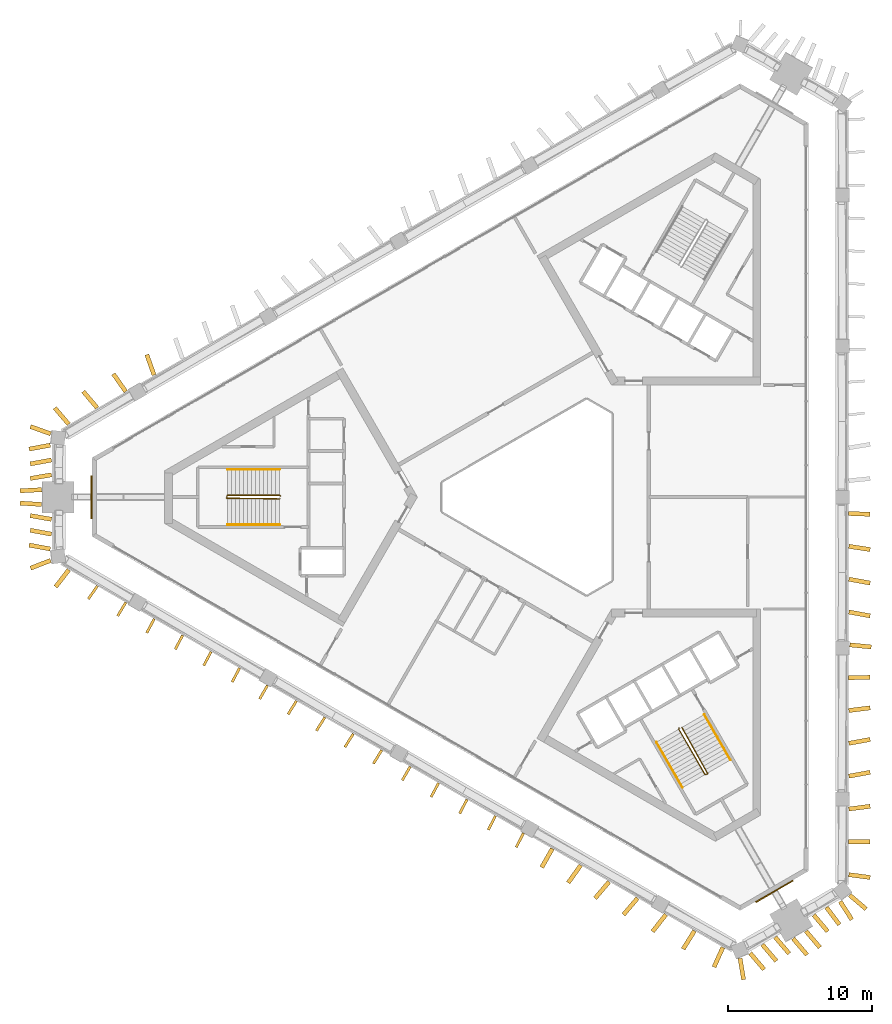
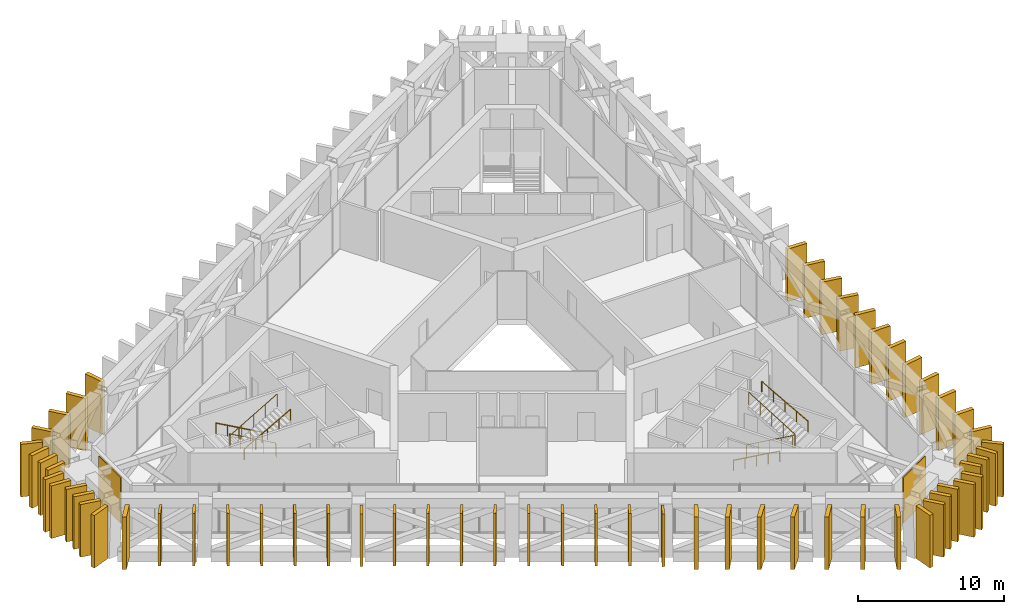
# One storey, part 14 of 15: 60 shading devices, 6 railings, 2 coverings.
"""IFC4 building model written with IfcOpenShell, lengths in metres."""

from ifc_helpers import new_model, si_unit, direction, frame, frame_2d, origin, origin_2d, place, context, subcontext, project, spatial, rectangle, circle, extrude, material, layer, layer_set, type_object, element, save


model = new_model("IFC4")

# Units and contexts
model_context = context("Model", 3, precision=1e-05, world=origin(), true_north=direction((0.0, 1.0)))
body_context = subcontext(model_context, "Body", "Model", "MODEL_VIEW")
ifc_project = project(units=[si_unit("LENGTHUNIT", "METRE"), si_unit("AREAUNIT", "SQUARE_METRE"), si_unit("VOLUMEUNIT", "CUBIC_METRE"), si_unit("PLANEANGLEUNIT", "RADIAN"), si_unit("MASSUNIT", "GRAM", prefix="KILO")], contexts=[model_context])

# Site, building, storey
site_placement = place(None, origin())
site = spatial("IfcSite", under=ifc_project, at=site_placement, CompositionType="ELEMENT")
building_placement = place(site_placement, origin())
building = spatial("IfcBuilding", under=site, at=building_placement, Name="Jabali Bay Hotel Tower and Convention Centre", CompositionType="ELEMENT")
storey_placement = place(building_placement, frame((0.0, 0.0, 201.39990234375)))
storey = spatial("IfcBuildingStorey", under=building, at=storey_placement, Name="L49", CompositionType="ELEMENT", Elevation=201.39990234375)

# Shading devices
ifc_material_1 = material(Name="Precast concrete C60", Category="concrete")
ifc_layer_1 = layer(ifc_material_1, 0.179931640625)
ifc_layer_set_1 = layer_set([ifc_layer_1], Name="Precast concrete C60")
shading_device_type_1 = type_object("IfcShadingDeviceType", Name="Precast fin 4380 x 1100", PredefinedType="USERDEFINED", material=ifc_layer_set_1)
shading_device_1_placement = place(storey_placement, frame((43.73046875, 73.80810546875, 0.010009765625), z_axis=(0.0, 0.0, 1.0), x_axis=(-0.570479004337, -0.821312185232, 0.0)))
element("IfcShadingDevice", 1, at=shading_device_1_placement, inside=storey, type_object=shading_device_type_1, Name="Fin L49 065", ObjectType="FIN", PredefinedType="USERDEFINED", context=body_context, shape_type="SweptSolid", body=[
    extrude(rectangle(XDim=1.099853515625, YDim=0.179931640625, at=frame_2d((0.5498046875, 0.0))), origin(), (0.0, 0.0, 1.0), 4.380126953125),
])
for number, where, z_axis, x_axis, name in (
    (2, (45.711669921875, 72.6708984375, 0.010009765625), (0.0, 0.0, 1.0), (-0.517071608225, -0.855942142886, 0.0), "Fin L49 066"),
    (3, (47.689208984375, 71.52783203125, 0.010009765625), (0.0, 0.0, 1.0), (-0.470668857684, -0.882309937837, 0.0), "Fin L49 067"),
):
    element("IfcShadingDevice", number, at=place(storey_placement, frame(where, z_axis=z_axis, x_axis=x_axis)), inside=storey, type_object=shading_device_type_1, Name=name, ObjectType="FIN", PredefinedType="USERDEFINED", context=body_context, shape_type="SweptSolid", body=[
        extrude(rectangle(XDim=1.10009765625, YDim=0.179931640625, at=frame_2d((0.550048828125, 0.0))), origin(), (0.0, 0.0, 1.0), 4.380126953125),
    ])
for number, where, z_axis, x_axis, name in (
    (4, (49.6669921875, 70.38525390625, 0.010009765625), (0.0, 0.0, 1.0), (-0.466377581753, -0.884585751207, 0.0), "Fin L49 068"),
    (5, (51.645263671875, 69.2431640625, 0.010009765625), (0.0, 0.0, 1.0), (-0.467428758702, -0.884030743548, 0.0), "Fin L49 069"),
):
    element("IfcShadingDevice", number, at=place(storey_placement, frame(where, z_axis=z_axis, x_axis=x_axis)), inside=storey, type_object=shading_device_type_1, Name=name, ObjectType="FIN", PredefinedType="USERDEFINED", context=body_context, shape_type="SweptSolid", body=[
        extrude(rectangle(XDim=1.099853515625, YDim=0.179931640625, at=frame_2d((0.5498046875, 0.0))), origin(), (0.0, 0.0, 1.0), 4.380126953125),
    ])
shading_device_2_placement = place(storey_placement, frame((53.62353515625, 68.101318359375, 0.010009765625), z_axis=(0.0, 0.0, 1.0), x_axis=(-0.468305766076, -0.883566471444, 0.0)))
element("IfcShadingDevice", 6, at=shading_device_2_placement, inside=storey, type_object=shading_device_type_1, Name="Fin L49 070", ObjectType="FIN", PredefinedType="USERDEFINED", context=body_context, shape_type="SweptSolid", body=[
    extrude(rectangle(XDim=1.10009765625, YDim=0.179931640625, at=frame_2d((0.550048828125, 0.0))), origin(), (0.0, 0.0, 1.0), 4.380126953125),
])
shading_device_3_placement = place(storey_placement, frame((55.56591796875, 66.89697265625, 0.010009765625), z_axis=(0.0, 0.0, 1.0), x_axis=(-0.499171535412, -0.866503189973, 0.0)))
element("IfcShadingDevice", 7, at=shading_device_3_placement, inside=storey, type_object=shading_device_type_1, Name="Fin L49 071", ObjectType="FIN", PredefinedType="USERDEFINED", context=body_context, shape_type="SweptSolid", body=[
    extrude(rectangle(XDim=1.099853515625, YDim=0.179931640625, at=frame_2d((0.5498046875, 0.0))), origin(), (0.0, 0.0, 1.0), 4.380126953125),
])
for number, where, z_axis, x_axis, name in (
    (8, (57.580078125, 65.8173828125, 0.010009765625), (0.0, 0.0, 1.0), (-0.526683131458, -0.850061691313, 0.0), "Fin L49 072"),
    (9, (59.55810546875, 64.6748046875, 0.010009765625), (0.0, 0.0, 1.0), (-0.531334935618, -0.847161841794, 0.0), "Fin L49 073"),
    (10, (61.536376953125, 63.53271484375, 0.010009765625), (0.0, 0.0, 1.0), (-0.53149419322, -0.8470619355, 0.0), "Fin L49 074"),
    (11, (63.514892578125, 62.3916015625, 0.010009765625), (0.0, 0.0, 1.0), (-0.522015481501, -0.852936009952, 0.0), "Fin L49 075"),
):
    element("IfcShadingDevice", number, at=place(storey_placement, frame(where, z_axis=z_axis, x_axis=x_axis)), inside=storey, type_object=shading_device_type_1, Name=name, ObjectType="FIN", PredefinedType="USERDEFINED", context=body_context, shape_type="SweptSolid", body=[
        extrude(rectangle(XDim=1.10009765625, YDim=0.179931640625, at=frame_2d((0.550048828125, 0.0))), origin(), (0.0, 0.0, 1.0), 4.380126953125),
    ])
shading_device_4_placement = place(storey_placement, frame((65.494140625, 61.251220703125, 0.010009765625), z_axis=(0.0, 0.0, 1.0), x_axis=(-0.498312643583, -0.866997410172, 0.0)))
element("IfcShadingDevice", 12, at=shading_device_4_placement, inside=storey, type_object=shading_device_type_1, Name="Fin L49 076", ObjectType="FIN", PredefinedType="USERDEFINED", context=body_context, shape_type="SweptSolid", body=[
    extrude(rectangle(XDim=1.099853515625, YDim=0.179931640625, at=frame_2d((0.5498046875, 0.0))), origin(), (0.0, 0.0, 1.0), 4.380126953125),
])
shading_device_5_placement = place(storey_placement, frame((67.47119140625, 60.107177734375, 0.010009765625), z_axis=(0.0, 0.0, 1.0), x_axis=(-0.47583265846, -0.879535832779, 0.0)))
element("IfcShadingDevice", 13, at=shading_device_5_placement, inside=storey, type_object=shading_device_type_1, Name="Fin L49 077", ObjectType="FIN", PredefinedType="USERDEFINED", context=body_context, shape_type="SweptSolid", body=[
    extrude(rectangle(XDim=1.10009765625, YDim=0.179931640625, at=frame_2d((0.550048828125, 0.0))), origin(), (0.0, 0.0, 1.0), 4.380126953125),
])
for number, where, z_axis, x_axis, name in (
    (14, (69.44873046875, 58.9638671875, 0.010009765625), (0.0, 0.0, 1.0), (-0.463036274303, -0.886339330437, 0.0), "Fin L49 078"),
    (15, (71.426513671875, 57.82080078125, 0.010009765625), (0.0, 0.0, 1.0), (-0.452798240741, -0.8916130064, 0.0), "Fin L49 079"),
):
    element("IfcShadingDevice", number, at=place(storey_placement, frame(where, z_axis=z_axis, x_axis=x_axis)), inside=storey, type_object=shading_device_type_1, Name=name, ObjectType="FIN", PredefinedType="USERDEFINED", context=body_context, shape_type="SweptSolid", body=[
        extrude(rectangle(XDim=1.099853515625, YDim=0.179931640625, at=frame_2d((0.5498046875, 0.0))), origin(), (0.0, 0.0, 1.0), 4.380126953125),
    ])
shading_device_6_placement = place(storey_placement, frame((73.366943359375, 56.61376953125, 0.010009765625), z_axis=(0.0, 0.0, 1.0), x_axis=(-0.449874907868, -0.893091578323, 0.0)))
element("IfcShadingDevice", 16, at=shading_device_6_placement, inside=storey, type_object=shading_device_type_1, Name="Fin L49 080", ObjectType="FIN", PredefinedType="USERDEFINED", context=body_context, shape_type="SweptSolid", body=[
    extrude(rectangle(XDim=1.10009765625, YDim=0.179931640625, at=frame_2d((0.550048828125, 0.0))), origin(), (0.0, 0.0, 1.0), 4.380126953125),
])
ifc_layer_2 = layer(ifc_material_1, 0.300048828125)
ifc_layer_set_2 = layer_set([ifc_layer_2], Name="Precast concrete C60")
shading_device_type_2 = type_object("IfcShadingDeviceType", Name="Precast fin 4380 x 1500", PredefinedType="USERDEFINED", material=ifc_layer_set_2)
for number, where, z_axis, x_axis, name in (
    (17, (96.009033203125, 53.731689453125, 0.010009765625), (0.0, 0.0, 1.0), (0.991487500745, -0.130201904234, 0.0), "Fin L49 000"),
    (18, (95.990234375, 56.015869140625, 0.010009765625), (0.0, 0.0, 1.0), (0.99998886074, 0.004719999505, 0.0), "Fin L49 001"),
    (19, (96.008544921875, 58.300048828125, 0.010009765625), (0.0, 0.0, 1.0), (0.99195151936, 0.126618257926, 0.0), "Fin L49 002"),
    (20, (96.0166015625, 60.584228515625, 0.010009765625), (0.0, 0.0, 1.0), (0.98351646372, 0.180818598576, 0.0), "Fin L49 003"),
    (21, (96.0166015625, 62.868408203125, 0.010009765625), (0.0, 0.0, 1.0), (0.98351646372, 0.180818598576, 0.0), "Fin L49 004"),
    (22, (96.008056640625, 65.152587890625, 0.010009765625), (0.0, 0.0, 1.0), (0.992419958054, 0.122892745339, 0.0), "Fin L49 005"),
    (23, (95.99169921875, 67.436767578125, 0.010009765625), (0.0, 0.0, 1.0), (0.999899727428, 0.014161041232, 0.0), "Fin L49 006"),
    (24, (96.079345703125, 69.720947265625, 0.010009765625), (0.0, 0.0, 1.0), (0.995059724183, -0.099278120993, 0.0), "Fin L49 007"),
    (25, (96.0166015625, 72.00537109375, 0.010009765625), (0.0, 0.0, 1.0), (0.983666162823, -0.180002444752, 0.0), "Fin L49 008"),
    (26, (96.0166015625, 74.28955078125, 0.010009765625), (0.0, 0.0, 1.0), (0.98351646372, -0.180818598576, 0.0), "Fin L49 009"),
):
    element("IfcShadingDevice", number, at=place(storey_placement, frame(where, z_axis=z_axis, x_axis=x_axis)), inside=storey, type_object=shading_device_type_2, Name=name, ObjectType="FIN", PredefinedType="USERDEFINED", context=body_context, shape_type="SweptSolid", body=[
        extrude(rectangle(XDim=1.5, YDim=0.300048828125, at=frame_2d((0.75, 0.0))), origin(), (0.0, 0.0, 1.0), 4.380126953125),
    ])
shading_device_7_placement = place(storey_placement, frame((96.011962890625, 76.57373046875, 0.010009765625), z_axis=(0.0, 0.0, 1.0), x_axis=(0.988894523885, -0.148619045318, 0.0)))
element("IfcShadingDevice", 27, at=shading_device_7_placement, inside=storey, type_object=shading_device_type_2, Name="Fin L49 010", ObjectType="FIN", PredefinedType="USERDEFINED", context=body_context, shape_type="SweptSolid", body=[
    extrude(rectangle(XDim=1.499755859375, YDim=0.300048828125, at=frame_2d((0.75, 0.0))), origin(), (0.0, 0.0, 1.0), 4.380126953125),
])
shading_device_8_placement = place(storey_placement, frame((95.9951171875, 78.85791015625, 0.010009765625), z_axis=(0.0, 0.0, 1.0), x_axis=(0.999323279828, -0.036782908997, 0.0)))
element("IfcShadingDevice", 28, at=shading_device_8_placement, inside=storey, type_object=shading_device_type_2, Name="Fin L49 011", ObjectType="FIN", PredefinedType="USERDEFINED", context=body_context, shape_type="SweptSolid", body=[
    extrude(rectangle(XDim=1.5, YDim=0.300048828125, at=frame_2d((0.75, 0.0))), origin(), (0.0, 0.0, 1.0), 4.380126953125),
])
shading_device_9_placement = place(storey_placement, frame((47.677001953125, 88.4931640625, 0.010009765625), z_axis=(0.0, 0.0, 1.0), x_axis=(-0.335160595484, 0.942161013434, 0.0)))
element("IfcShadingDevice", 29, at=shading_device_9_placement, inside=storey, type_object=shading_device_type_2, Name="Fin L49 052", ObjectType="FIN", PredefinedType="USERDEFINED", context=body_context, shape_type="SweptSolid", body=[
    extrude(rectangle(XDim=1.499755859375, YDim=0.300048828125, at=frame_2d((0.75, 0.0))), origin(), (0.0, 0.0, 1.0), 4.380126953125),
])
for number, where, z_axis, x_axis, name in (
    (30, (45.7060546875, 87.338623046875, 0.010009765625), (0.0, 0.0, 1.0), (-0.572117944952, 0.820171358354, 0.0), "Fin L49 053"),
    (31, (43.720703125, 86.208984375, 0.010009765625), (0.0, 0.0, 1.0), (-0.648281291341, 0.761400924151, 0.0), "Fin L49 054"),
):
    element("IfcShadingDevice", number, at=place(storey_placement, frame(where, z_axis=z_axis, x_axis=x_axis)), inside=storey, type_object=shading_device_type_2, Name=name, ObjectType="FIN", PredefinedType="USERDEFINED", context=body_context, shape_type="SweptSolid", body=[
        extrude(rectangle(XDim=1.5, YDim=0.300048828125, at=frame_2d((0.75, 0.0))), origin(), (0.0, 0.0, 1.0), 4.380126953125),
    ])
shading_device_10_placement = place(storey_placement, frame((41.742431640625, 85.06689453125, 0.010009765625), z_axis=(0.0, 0.0, 1.0), x_axis=(-0.648186918132, 0.761481266455, 0.0)))
element("IfcShadingDevice", 32, at=shading_device_10_placement, inside=storey, type_object=shading_device_type_2, Name="Fin L49 055", ObjectType="FIN", PredefinedType="USERDEFINED", context=body_context, shape_type="SweptSolid", body=[
    extrude(rectangle(XDim=1.499755859375, YDim=0.300048828125, at=frame_2d((0.75, 0.0))), origin(), (0.0, 0.0, 1.0), 4.380126953125),
])
shading_device_11_placement = place(storey_placement, frame((40.457275390625, 83.610107421875, 0.010009765625), z_axis=(0.0, 0.0, 1.0), x_axis=(-0.98351646372, -0.180818598576, 0.0)))
element("IfcShadingDevice", 33, at=shading_device_11_placement, inside=storey, type_object=shading_device_type_2, Name="Fin L49 056", ObjectType="FIN", PredefinedType="USERDEFINED", context=body_context, shape_type="SweptSolid", body=[
    extrude(rectangle(XDim=1.5, YDim=0.300048828125, at=frame_2d((0.75, 0.0))), origin(), (0.0, 0.0, 1.0), 4.380126953125),
])
for number, where, z_axis, x_axis, name in (
    (34, (40.539794921875, 82.57861328125, 0.010009765625), (0.0, 0.0, 1.0), (-0.983540082214, -0.180690084617, 0.0), "Fin L49 057"),
    (35, (40.541748046875, 81.547119140625, 0.010009765625), (0.0, 0.0, 1.0), (-0.985762100403, -0.168146012172, 0.0), "Fin L49 058"),
):
    element("IfcShadingDevice", number, at=place(storey_placement, frame(where, z_axis=z_axis, x_axis=x_axis)), inside=storey, type_object=shading_device_type_2, Name=name, ObjectType="FIN", PredefinedType="USERDEFINED", context=body_context, shape_type="SweptSolid", body=[
        extrude(rectangle(XDim=1.499755859375, YDim=0.300048828125, at=frame_2d((0.75, 0.0))), origin(), (0.0, 0.0, 1.0), 4.380126953125),
    ])
shading_device_12_placement = place(storey_placement, frame((39.859619140625, 80.515625, 0.010009765625), z_axis=(0.0, 0.0, 1.0), x_axis=(-0.99857387122, -0.053387486513, 0.0)))
element("IfcShadingDevice", 36, at=shading_device_12_placement, inside=storey, type_object=shading_device_type_2, Name="Fin L49 059", ObjectType="FIN", PredefinedType="USERDEFINED", context=body_context, shape_type="SweptSolid", body=[
    extrude(rectangle(XDim=1.5, YDim=0.300048828125, at=frame_2d((0.75, 0.0))), origin(), (0.0, 0.0, 1.0), 4.380126953125),
])
for number, where, z_axis, x_axis, name in (
    (37, (39.858154296875, 79.484375, 0.010009765625), (0.0, 0.0, 1.0), (-0.997942139327, 0.064120874575, 0.0), "Fin L49 060"),
    (38, (40.541259765625, 78.452880859375, 0.010009765625), (0.0, 0.0, 1.0), (-0.985093269041, 0.17202107804, 0.0), "Fin L49 061"),
):
    element("IfcShadingDevice", number, at=place(storey_placement, frame(where, z_axis=z_axis, x_axis=x_axis)), inside=storey, type_object=shading_device_type_2, Name=name, ObjectType="FIN", PredefinedType="USERDEFINED", context=body_context, shape_type="SweptSolid", body=[
        extrude(rectangle(XDim=1.500244140625, YDim=0.300048828125, at=frame_2d((0.75, 0.0))), origin(), (0.0, 0.0, 1.0), 4.380126953125),
    ])
shading_device_13_placement = place(storey_placement, frame((40.539794921875, 77.42138671875, 0.010009765625), z_axis=(0.0, 0.0, 1.0), x_axis=(-0.983540082214, 0.180690084617, 0.0)))
element("IfcShadingDevice", 39, at=shading_device_13_placement, inside=storey, type_object=shading_device_type_2, Name="Fin L49 062", ObjectType="FIN", PredefinedType="USERDEFINED", context=body_context, shape_type="SweptSolid", body=[
    extrude(rectangle(XDim=1.499755859375, YDim=0.300048828125, at=frame_2d((0.75, 0.0))), origin(), (0.0, 0.0, 1.0), 4.380126953125),
])
for number, where, z_axis, x_axis, name in (
    (40, (40.457275390625, 76.389892578125, 0.010009765625), (0.0, 0.0, 1.0), (-0.98351646372, 0.180818598576, 0.0), "Fin L49 063"),
    (41, (41.74609375, 74.939453125, 0.010009765625), (0.0, 0.0, 1.0), (-0.610520622439, -0.792000359581, 0.0), "Fin L49 064"),
):
    element("IfcShadingDevice", number, at=place(storey_placement, frame(where, z_axis=z_axis, x_axis=x_axis)), inside=storey, type_object=shading_device_type_2, Name=name, ObjectType="FIN", PredefinedType="USERDEFINED", context=body_context, shape_type="SweptSolid", body=[
        extrude(rectangle(XDim=1.5, YDim=0.300048828125, at=frame_2d((0.75, 0.0))), origin(), (0.0, 0.0, 1.0), 4.380126953125),
    ])
shading_device_14_placement = place(storey_placement, frame((75.384521484375, 55.539794921875, 0.010009765625), z_axis=(0.0, 0.0, 1.0), x_axis=(-0.493226130049, -0.869901134978, 0.0)))
element("IfcShadingDevice", 42, at=shading_device_14_placement, inside=storey, type_object=shading_device_type_2, Name="Fin L49 081", ObjectType="FIN", PredefinedType="USERDEFINED", context=body_context, shape_type="SweptSolid", body=[
    extrude(rectangle(XDim=1.499755859375, YDim=0.300048828125, at=frame_2d((0.75, 0.0))), origin(), (0.0, 0.0, 1.0), 4.380126953125),
])
for number, where, z_axis, x_axis, name in (
    (43, (77.356201171875, 54.386474609375, 0.010009765625), (0.0, 0.0, 1.0), (-0.579759177588, -0.814787884055, 0.0), "Fin L49 082"),
    (44, (79.328369140625, 53.233642578125, 0.010009765625), (0.0, 0.0, 1.0), (-0.645818201184, -0.763491225241, 0.0), "Fin L49 083"),
    (45, (81.30615234375, 52.09130859375, 0.010009765625), (0.0, 0.0, 1.0), (-0.647662594456, -0.761927269326, 0.0), "Fin L49 084"),
):
    element("IfcShadingDevice", number, at=place(storey_placement, frame(where, z_axis=z_axis, x_axis=x_axis)), inside=storey, type_object=shading_device_type_2, Name=name, ObjectType="FIN", PredefinedType="USERDEFINED", context=body_context, shape_type="SweptSolid", body=[
        extrude(rectangle(XDim=1.5, YDim=0.300048828125, at=frame_2d((0.75, 0.0))), origin(), (0.0, 0.0, 1.0), 4.380126953125),
    ])
for number, where, z_axis, x_axis, name in (
    (46, (83.287109375, 50.95361328125, 0.010009765625), (0.0, 0.0, 1.0), (-0.621036368614, -0.78378174823, 0.0), "Fin L49 085"),
    (47, (85.273681640625, 49.826171875, 0.010009765625), (0.0, 0.0, 1.0), (-0.528095909786, -0.849184732592, 0.0), "Fin L49 086"),
):
    element("IfcShadingDevice", number, at=place(storey_placement, frame(where, z_axis=z_axis, x_axis=x_axis)), inside=storey, type_object=shading_device_type_2, Name=name, ObjectType="FIN", PredefinedType="USERDEFINED", context=body_context, shape_type="SweptSolid", body=[
        extrude(rectangle(XDim=1.500244140625, YDim=0.300048828125, at=frame_2d((0.75, 0.0))), origin(), (0.0, 0.0, 1.0), 4.380126953125),
    ])
for number, where, z_axis, x_axis, name in (
    (48, (87.24658203125, 48.6748046875, 0.010009765625), (0.0, 0.0, 1.0), (-0.407391513737, -0.9132536091, 0.0), "Fin L49 087"),
    (49, (89.14501953125, 48.280029296875, 0.010009765625), (0.0, 0.0, 1.0), (0.648281291341, -0.761400924151, 0.0), "Fin L49 088"),
    (50, (89.996826171875, 48.867431640625, 0.010009765625), (0.0, 0.0, 1.0), (0.648281291341, -0.761400924151, 0.0), "Fin L49 089"),
    (51, (90.89013671875, 49.383056640625, 0.010009765625), (0.0, 0.0, 1.0), (0.648281291341, -0.761400924151, 0.0), "Fin L49 090"),
    (52, (92.133056640625, 49.293212890625, 0.010009765625), (0.0, 0.0, 1.0), (0.648281291341, -0.761400924151, 0.0), "Fin L49 091"),
):
    element("IfcShadingDevice", number, at=place(storey_placement, frame(where, z_axis=z_axis, x_axis=x_axis)), inside=storey, type_object=shading_device_type_2, Name=name, ObjectType="FIN", PredefinedType="USERDEFINED", context=body_context, shape_type="SweptSolid", body=[
        extrude(rectangle(XDim=1.5, YDim=0.300048828125, at=frame_2d((0.75, 0.0))), origin(), (0.0, 0.0, 1.0), 4.380126953125),
    ])
for number, where, z_axis, x_axis, name in (
    (53, (93.0263671875, 49.808837890625, 0.010009765625), (0.0, 0.0, 1.0), (0.648361637363, -0.761332507644, 0.0), "Fin L49 092"),
    (54, (93.56982421875, 50.9306640625, 0.010009765625), (0.0, 0.0, 1.0), (0.64589845905, -0.763423329875, 0.0), "Fin L49 093"),
):
    element("IfcShadingDevice", number, at=place(storey_placement, frame(where, z_axis=z_axis, x_axis=x_axis)), inside=storey, type_object=shading_device_type_2, Name=name, ObjectType="FIN", PredefinedType="USERDEFINED", context=body_context, shape_type="SweptSolid", body=[
        extrude(rectangle(XDim=1.499755859375, YDim=0.300048828125, at=frame_2d((0.75, 0.0))), origin(), (0.0, 0.0, 1.0), 4.380126953125),
    ])
shading_device_15_placement = place(storey_placement, frame((94.45849609375, 51.4541015625, 0.010009765625), z_axis=(0.0, 0.0, 1.0), x_axis=(0.599244573855, -0.800566012709, 0.0)))
element("IfcShadingDevice", 55, at=shading_device_15_placement, inside=storey, type_object=shading_device_type_2, Name="Fin L49 094", ObjectType="FIN", PredefinedType="USERDEFINED", context=body_context, shape_type="SweptSolid", body=[
    extrude(rectangle(XDim=1.5, YDim=0.300048828125, at=frame_2d((0.75, 0.0))), origin(), (0.0, 0.0, 1.0), 4.380126953125),
])
shading_device_16_placement = place(storey_placement, frame((95.409423828125, 51.869873046875, 0.010009765625), z_axis=(0.0, 0.0, 1.0), x_axis=(0.539432400498, -0.84202891001, 0.0)))
element("IfcShadingDevice", 56, at=shading_device_16_placement, inside=storey, type_object=shading_device_type_2, Name="Fin L49 095", ObjectType="FIN", PredefinedType="USERDEFINED", context=body_context, shape_type="SweptSolid", body=[
    extrude(rectangle(XDim=1.499755859375, YDim=0.300048828125, at=frame_2d((0.75, 0.0))), origin(), (0.0, 0.0, 1.0), 4.380126953125),
])
shading_device_17_placement = place(storey_placement, frame((96.0673828125, 52.313720703125, 0.010009765625), z_axis=(0.0, 0.0, 1.0), x_axis=(0.761320587107, -0.64837563468, 0.0)))
element("IfcShadingDevice", 57, at=shading_device_17_placement, inside=storey, type_object=shading_device_type_2, Name="Fin L49 096", ObjectType="FIN", PredefinedType="USERDEFINED", context=body_context, shape_type="SweptSolid", body=[
    extrude(rectangle(XDim=1.500244140625, YDim=0.300048828125, at=frame_2d((0.75, 0.0))), origin(), (0.0, 0.0, 1.0), 4.380126953125),
])
for number, where, z_axis, x_axis, name in (
    (58, (40.489013671875, 84.40185546875, 0.010009765625), (0.0, 0.0, 1.0), (-0.942109603791, 0.335305076677, 0.0), "Fin L49 099"),
    (59, (40.4853515625, 75.595947265625, 0.010009765625), (0.0, 0.0, 1.0), (-0.93230979501, -0.361660678162, 0.0), "Fin L49 100"),
    (60, (88.443359375, 47.9091796875, 0.010009765625), (0.0, 0.0, 1.0), (0.164398987305, -0.986393923832, 0.0), "Fin L49 101"),
):
    element("IfcShadingDevice", number, at=place(storey_placement, frame(where, z_axis=z_axis, x_axis=x_axis)), inside=storey, type_object=shading_device_type_2, Name=name, ObjectType="FIN", PredefinedType="USERDEFINED", context=body_context, shape_type="SweptSolid", body=[
        extrude(rectangle(XDim=1.5, YDim=0.300048828125, at=frame_2d((0.75, 0.0))), origin(), (0.0, 0.0, 1.0), 4.380126953125),
    ])

# Coverings
ifc_material_2 = material(Name="Precast concrete C40/50", Category="concrete")
ifc_layer_3 = layer(ifc_material_2, 0.080078125)
ifc_layer_set_3 = layer_set([ifc_layer_3], Name="Precast concrete C40/50")
covering_type = type_object("IfcCoveringType", Name="Relief panel 3000 x 3800", PredefinedType="CLADDING", material=ifc_layer_set_3)
for number, where, z_axis, x_axis, name in (
    (61, (43.326904296875, 80.0, 0.10009765625), (0.0, 0.0, 1.0), (0.0, 1.0, 0.0), "Relief panel L49"),
    (62, (90.83642578125, 52.5703125, 0.10009765625), (0.0, 0.0, 1.0), (-0.866025383678, -0.500000034825, 0.0), "Relief panel L49"),
):
    element("IfcCovering", number, at=place(storey_placement, frame(where, z_axis=z_axis, x_axis=x_axis)), inside=storey, type_object=covering_type, Name=name, PredefinedType="CLADDING", context=body_context, shape_type="SweptSolid", body=[
        extrude(rectangle(XDim=3.0, YDim=0.080078125, at=origin_2d()), origin(), (0.0, 0.0, 1.0), 3.800048828125),
    ])

# Railings
ifc_material_3 = material(Name="Steel Q355B", Category="steel")
railing_type_1 = type_object("IfcRailingType", Name="Stair guard 1100", PredefinedType="GUARDRAIL", material=ifc_material_3)
railing_1_placement = place(storey_placement, frame((56.469970703125, 80.074951171875, 0.0)))
element("IfcRailing", 63, at=railing_1_placement, inside=storey, type_object=railing_type_1, Name="L49 ST1 stair guard 1", PredefinedType="GUARDRAIL", context=body_context, shape_type="SweptSolid", body=[
    extrude(circle(Radius=0.02392578125, at=origin_2d()), frame((0.0, 0.0, 1.076171875), z_axis=(-0.290266377826, 0.290266377826, 0.911861206439), x_axis=(-0.707106781187, -0.707106781187, 0.0)), (0.0, 0.0, 1.0), 0.17236328125),
    extrude(circle(Radius=0.02392578125, at=origin_2d()), frame((-0.050048828125, 0.050048828125, 1.2333984375), z_axis=(-0.872032840091, 0.0, 0.489447367756), x_axis=(0.0, -1.0, 0.0)), (0.0, 0.0, 1.0), 4.174072265625),
    extrude(circle(Radius=0.02392578125, at=origin_2d()), frame((-3.68994140625, 0.050048828125, 3.2763671875), z_axis=(-0.242814311512, -0.970072785993, 0.0), x_axis=(0.970072785993, -0.242814311512, 0.0)), (0.0, 0.0, 1.0), 0.2060546875),
    extrude(circle(Radius=0.02392578125, at=origin_2d()), frame((-3.739990234375, -0.14990234375, 3.2763671875), z_axis=(0.858870423873, -0.011649360652, 0.512060433341), x_axis=(0.013562335953, 0.999908027292, 0.0)), (0.0, 0.0, 1.0), 4.29638671875),
    extrude(circle(Radius=0.02099609375, at=origin_2d()), origin(), (0.0, 0.0, 1.0), 1.052001953125),
    extrude(circle(Radius=0.02099609375, at=origin_2d()), frame((-0.050048828125, 0.050048828125, 0.1572265625)), (0.0, 0.0, 1.0), 1.052001953125),
    extrude(circle(Radius=0.02099609375, at=origin_2d()), frame((-0.9599609375, 0.050048828125, 0.66796875)), (0.0, 0.0, 1.0), 1.052001953125),
    extrude(circle(Radius=0.02099609375, at=origin_2d()), frame((-1.8701171875, 0.050048828125, 1.1787109375)), (0.0, 0.0, 1.0), 1.052001953125),
    extrude(circle(Radius=0.02099609375, at=origin_2d()), frame((-2.780029296875, 0.050048828125, 1.689453125)), (0.0, 0.0, 1.0), 1.052001953125),
    extrude(circle(Radius=0.02099609375, at=origin_2d()), frame((-3.68994140625, 0.050048828125, 2.2001953125)), (0.0, 0.0, 1.0), 1.052001953125),
    extrude(circle(Radius=0.02099609375, at=origin_2d()), frame((-3.739990234375, -0.14990234375, 2.2001953125)), (0.0, 0.0, 1.0), 1.052001953125),
    extrude(circle(Radius=0.02099609375, at=origin_2d()), frame((-2.8173828125, -0.162353515625, 2.750244140625)), (0.0, 0.0, 1.0), 1.052001953125),
    extrude(circle(Radius=0.02099609375, at=origin_2d()), frame((-1.89501953125, -0.1748046875, 3.30029296875)), (0.0, 0.0, 1.0), 1.052001953125),
    extrude(circle(Radius=0.02099609375, at=origin_2d()), frame((-0.97265625, -0.1875, 3.85009765625)), (0.0, 0.0, 1.0), 1.052001953125),
    extrude(circle(Radius=0.02099609375, at=origin_2d()), frame((-0.050048828125, -0.199951171875, 4.400146484375)), (0.0, 0.0, 1.0), 1.052001953125),
])
railing_2_placement = place(storey_placement, frame((84.199951171875, 63.9150390625, 0.0)))
element("IfcRailing", 64, at=railing_2_placement, inside=storey, type_object=railing_type_1, Name="L49 ST3 stair guard 1", PredefinedType="GUARDRAIL", context=body_context, shape_type="SweptSolid", body=[
    extrude(circle(Radius=0.02392578125, at=origin_2d()), frame((0.0, 0.0, 1.076171875), z_axis=(-0.106197677715, -0.396471330136, 0.911884059312), x_axis=(0.965948051503, -0.258736085224, 0.0)), (0.0, 0.0, 1.0), 0.17236328125),
    extrude(circle(Radius=0.02392578125, at=origin_2d()), frame((-0.018310546875, -0.068359375, 1.2333984375), z_axis=(0.436031875999, -0.75520369992, 0.489431889787), x_axis=(0.866018046521, 0.500012742938, 0.0)), (0.0, 0.0, 1.0), 4.174072265625),
    extrude(circle(Radius=0.02392578125, at=origin_2d()), frame((1.8017578125, -3.220703125, 3.2763671875), z_axis=(0.96121063429, 0.275815366736, 0.0), x_axis=(-0.275815366736, 0.96121063429, 0.0)), (0.0, 0.0, 1.0), 0.206298828125),
    extrude(circle(Radius=0.02392578125, at=origin_2d()), frame((2.0, -3.163818359375, 3.2763671875), z_axis=(-0.419382495405, 0.749603590364, 0.512067163428), x_axis=(-0.872702246529, -0.488252792008, 0.0)), (0.0, 0.0, 1.0), 4.296142578125),
    extrude(circle(Radius=0.02099609375, at=origin_2d()), origin(), (0.0, 0.0, 1.0), 1.052001953125),
    extrude(circle(Radius=0.02099609375, at=origin_2d()), frame((-0.018310546875, -0.068359375, 0.1572265625)), (0.0, 0.0, 1.0), 1.052001953125),
    extrude(circle(Radius=0.02099609375, at=origin_2d()), frame((0.436767578125, -0.8564453125, 0.66796875)), (0.0, 0.0, 1.0), 1.052001953125),
    extrude(circle(Radius=0.02099609375, at=origin_2d()), frame((0.8916015625, -1.64453125, 1.1787109375)), (0.0, 0.0, 1.0), 1.052001953125),
    extrude(circle(Radius=0.02099609375, at=origin_2d()), frame((1.3466796875, -2.4326171875, 1.689453125)), (0.0, 0.0, 1.0), 1.052001953125),
    extrude(circle(Radius=0.02099609375, at=origin_2d()), frame((1.8017578125, -3.220703125, 2.2001953125)), (0.0, 0.0, 1.0), 1.052001953125),
    extrude(circle(Radius=0.02099609375, at=origin_2d()), frame((2.0, -3.163818359375, 2.2001953125)), (0.0, 0.0, 1.0), 1.052001953125),
    extrude(circle(Radius=0.02099609375, at=origin_2d()), frame((1.549560546875, -2.358642578125, 2.750244140625)), (0.0, 0.0, 1.0), 1.052001953125),
    extrude(circle(Radius=0.02099609375, at=origin_2d()), frame((1.09912109375, -1.5537109375, 3.30029296875)), (0.0, 0.0, 1.0), 1.052001953125),
    extrude(circle(Radius=0.02099609375, at=origin_2d()), frame((0.648681640625, -0.74853515625, 3.85009765625)), (0.0, 0.0, 1.0), 1.052001953125),
    extrude(circle(Radius=0.02099609375, at=origin_2d()), frame((0.1982421875, 0.056640625, 4.400146484375)), (0.0, 0.0, 1.0), 1.052001953125),
])
railing_type_2 = type_object("IfcRailingType", Name="Stair handrail 900", PredefinedType="HANDRAIL", material=ifc_material_3)
railing_3_placement = place(storey_placement, frame((56.419921875, 81.925048828125, 0.1572265625)))
element("IfcRailing", 65, at=railing_3_placement, inside=storey, type_object=railing_type_2, Name="L49 ST1 stair handrail 1", PredefinedType="HANDRAIL", context=body_context, shape_type="SweptSolid", body=[
    extrude(circle(Radius=0.02392578125, at=origin_2d()), frame((0.0, 0.0, 0.8759765625), z_axis=(-0.872032840091, 0.0, 0.489447367756), x_axis=(0.0, -1.0, 0.0)), (0.0, 0.0, 1.0), 4.174072265625),
    extrude(circle(Radius=0.02099609375, at=origin_2d()), origin(), (0.0, 0.0, 1.0), 0.851806640625),
    extrude(circle(Radius=0.02099609375, at=origin_2d()), frame((-0.909912109375, 0.0, 0.5107421875)), (0.0, 0.0, 1.0), 0.851806640625),
    extrude(circle(Radius=0.02099609375, at=origin_2d()), frame((-1.81982421875, 0.0, 1.021484375)), (0.0, 0.0, 1.0), 0.851806640625),
    extrude(circle(Radius=0.02099609375, at=origin_2d()), frame((-2.72998046875, 0.0, 1.5322265625)), (0.0, 0.0, 1.0), 0.851806640625),
    extrude(circle(Radius=0.02099609375, at=origin_2d()), frame((-3.639892578125, 0.0, 2.04296875)), (0.0, 0.0, 1.0), 0.851806640625),
])
railing_4_placement = place(storey_placement, frame((52.780029296875, 78.074951171875, 2.357177734375)))
element("IfcRailing", 66, at=railing_4_placement, inside=storey, type_object=railing_type_2, Name="L49 ST1 stair handrail 2", PredefinedType="HANDRAIL", context=body_context, shape_type="SweptSolid", body=[
    extrude(circle(Radius=0.02392578125, at=origin_2d()), frame((0.0, 0.0, 0.8759765625), z_axis=(0.872032840091, 0.0, 0.489447367756), x_axis=(0.0, 1.0, 0.0)), (0.0, 0.0, 1.0), 4.174072265625),
    extrude(circle(Radius=0.02099609375, at=origin_2d()), origin(), (0.0, 0.0, 1.0), 0.851806640625),
    extrude(circle(Radius=0.02099609375, at=origin_2d()), frame((0.909912109375, 0.0, 0.5107421875)), (0.0, 0.0, 1.0), 0.851806640625),
    extrude(circle(Radius=0.02099609375, at=origin_2d()), frame((1.81982421875, 0.0, 1.021484375)), (0.0, 0.0, 1.0), 0.851806640625),
    extrude(circle(Radius=0.02099609375, at=origin_2d()), frame((2.72998046875, 0.0, 1.5322265625)), (0.0, 0.0, 1.0), 0.851806640625),
    extrude(circle(Radius=0.02099609375, at=origin_2d()), frame((3.639892578125, 0.0, 2.04296875)), (0.0, 0.0, 1.0), 0.851806640625),
])
railing_5_placement = place(storey_placement, frame((82.622802734375, 62.94677734375, 0.1572265625)))
element("IfcRailing", 67, at=railing_5_placement, inside=storey, type_object=railing_type_2, Name="L49 ST3 stair handrail 1", PredefinedType="HANDRAIL", context=body_context, shape_type="SweptSolid", body=[
    extrude(circle(Radius=0.02392578125, at=origin_2d()), frame((0.0, 0.0, 0.8759765625), z_axis=(0.436031875999, -0.75520369992, 0.489431889787), x_axis=(0.866018046521, 0.500012742938, 0.0)), (0.0, 0.0, 1.0), 4.174072265625),
    extrude(circle(Radius=0.02099609375, at=origin_2d()), origin(), (0.0, 0.0, 1.0), 0.851806640625),
    extrude(circle(Radius=0.02099609375, at=origin_2d()), frame((0.455078125, -0.7880859375, 0.5107421875)), (0.0, 0.0, 1.0), 0.851806640625),
    extrude(circle(Radius=0.02099609375, at=origin_2d()), frame((0.91015625, -1.576171875, 1.021484375)), (0.0, 0.0, 1.0), 0.851806640625),
    extrude(circle(Radius=0.02099609375, at=origin_2d()), frame((1.364990234375, -2.3642578125, 1.5322265625)), (0.0, 0.0, 1.0), 0.851806640625),
    extrude(circle(Radius=0.02099609375, at=origin_2d()), frame((1.820068359375, -3.15234375, 2.04296875)), (0.0, 0.0, 1.0), 0.851806640625),
])
railing_6_placement = place(storey_placement, frame((87.777099609375, 61.719482421875, 2.357177734375)))
element("IfcRailing", 68, at=railing_6_placement, inside=storey, type_object=railing_type_2, Name="L49 ST3 stair handrail 2", PredefinedType="HANDRAIL", context=body_context, shape_type="SweptSolid", body=[
    extrude(circle(Radius=0.02392578125, at=origin_2d()), frame((0.0, 0.0, 0.8759765625), z_axis=(-0.436031875999, 0.75520369992, 0.489431889787), x_axis=(-0.866018046521, -0.500012742938, 0.0)), (0.0, 0.0, 1.0), 4.174072265625),
    extrude(circle(Radius=0.02099609375, at=origin_2d()), origin(), (0.0, 0.0, 1.0), 0.851806640625),
    extrude(circle(Radius=0.02099609375, at=origin_2d()), frame((-0.455078125, 0.7880859375, 0.5107421875)), (0.0, 0.0, 1.0), 0.851806640625),
    extrude(circle(Radius=0.02099609375, at=origin_2d()), frame((-0.91015625, 1.576171875, 1.021484375)), (0.0, 0.0, 1.0), 0.851806640625),
    extrude(circle(Radius=0.02099609375, at=origin_2d()), frame((-1.364990234375, 2.3642578125, 1.5322265625)), (0.0, 0.0, 1.0), 0.851806640625),
    extrude(circle(Radius=0.02099609375, at=origin_2d()), frame((-1.820068359375, 3.15234375, 2.04296875)), (0.0, 0.0, 1.0), 0.851806640625),
])

save(model, "model.ifc")
